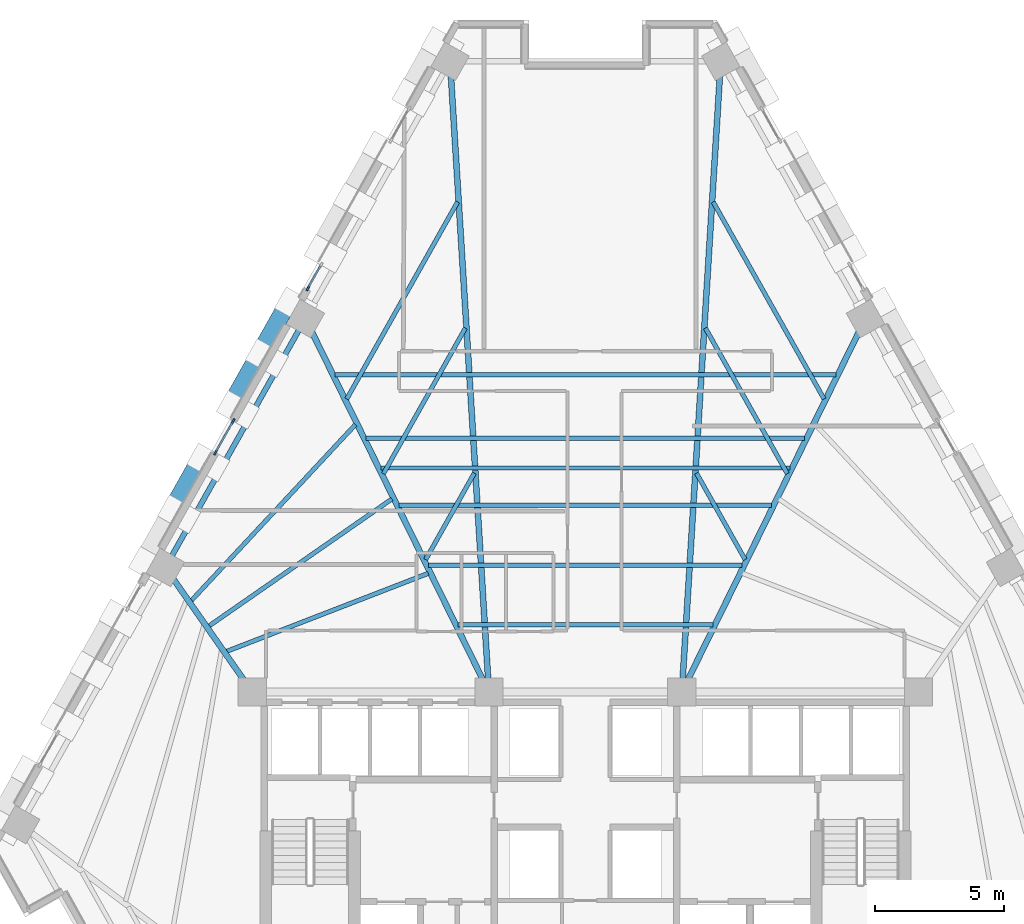
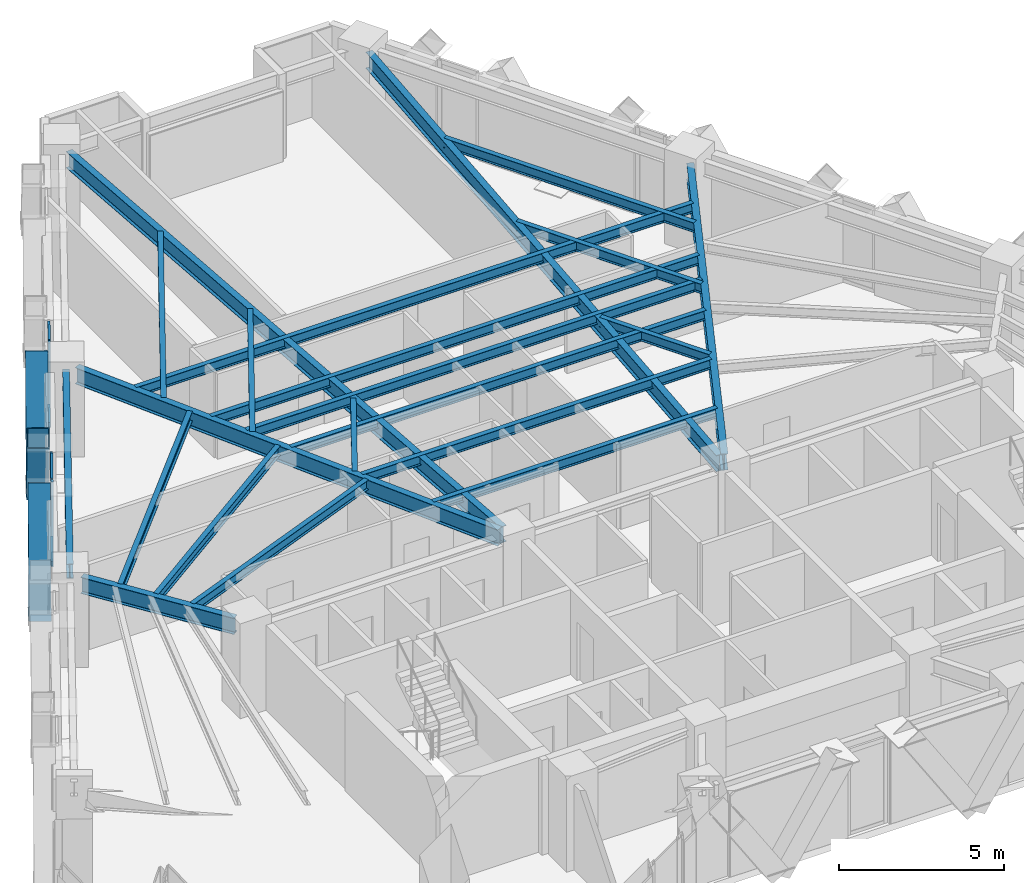
# One storey, part 3 of 13: 21 beams, 10 members, 2 elements without a shape of their own.
"""IFC4 building model written with IfcOpenShell, lengths in metres."""

from ifc_helpers import new_model, si_unit, direction, frame, origin, origin_2d, place, context, subcontext, project, spatial, rectangle, hollow_rectangle, i_section, extrude, material, material_profile, profile_set, type_object, element, aggregate, save


model = new_model("IFC4")

# Units and contexts
model_context = context("Model", 3, precision=1e-05, world=origin(), true_north=direction((0.0, 1.0)))
body_context = subcontext(model_context, "Body", "Model", "MODEL_VIEW")
ifc_project = project(units=[si_unit("LENGTHUNIT", "METRE"), si_unit("AREAUNIT", "SQUARE_METRE"), si_unit("VOLUMEUNIT", "CUBIC_METRE"), si_unit("PLANEANGLEUNIT", "RADIAN"), si_unit("MASSUNIT", "GRAM", prefix="KILO")], contexts=[model_context])

# Site, building, storey
site_placement = place(None, origin())
site = spatial("IfcSite", under=ifc_project, at=site_placement, CompositionType="ELEMENT")
building_placement = place(site_placement, origin())
building = spatial("IfcBuilding", under=site, at=building_placement, Name="Quenlor Broadcast Tower", CompositionType="ELEMENT")
storey_placement = place(building_placement, frame((0.0, 0.0, 87.10009765625)))
storey = spatial("IfcBuildingStorey", under=building, at=storey_placement, Name="L23", CompositionType="ELEMENT", Elevation=87.10009765625)

# Curtain wall, member
ifc_material_1 = material(Name="Architectural Terracotta and Low-E Glazing", Category="masonry")
curtain_wall_type = type_object("IfcCurtainWallType", Name="Unitised Terracotta Curtain Wall System Z2", PredefinedType="NOTDEFINED", material=ifc_material_1)
curtain_wall_1_placement = place(storey_placement, origin())
curtain_wall_1 = element("IfcCurtainWall", 1, at=curtain_wall_1_placement, inside=storey, type_object=curtain_wall_type, Name="L23 Curtain Wall CW2 (L23-NWC-G1)", PredefinedType="NOTDEFINED")
ifc_material_2 = material(Name="Aluminium 6063-T6", Category="aluminium")
ifc_material_profile_1 = material_profile(ifc_material_2, rectangle(XDim=0.074951171875, YDim=0.199951171875, at=origin_2d()))
ifc_profile_set_1 = profile_set([ifc_material_profile_1], Name="Aluminium 6063-T6 MULL75x200")
member_type_1 = type_object("IfcMemberType", Name="CW2 Aluminium Mullion MULL_CW2", PredefinedType="MULLION", material=ifc_profile_set_1)
member_1_placement = place(storey_placement, frame((-10.7880859375, 10.894775390625, 0.0), z_axis=(0.0, 0.0, 1.0), x_axis=(-0.8715826837, 0.490248534392, 0.0)))
member_1 = element("IfcMember", 2, at=member_1_placement, type_object=member_type_1, Name="CW2 mullion 1", PredefinedType="MULLION", context=body_context, shape_type="SweptSolid", body=[
    extrude(rectangle(XDim=0.074951171875, YDim=0.199951171875, at=origin_2d()), origin(), (0.0, 0.0, 1.0), 3.139892578125),
])

# Curtain wall, members
curtain_wall_2_placement = place(storey_placement, origin())
curtain_wall_2 = element("IfcCurtainWall", 3, at=curtain_wall_2_placement, inside=storey, type_object=curtain_wall_type, Name="L23 Curtain Wall CW2 (L23-NW-G1)", PredefinedType="NOTDEFINED")
member_2_placement = place(storey_placement, frame((-14.3828125, 4.50439453125, 0.0), z_axis=(0.0, 0.0, 1.0), x_axis=(-0.871557629154, 0.490293074665, 0.0)))
member_2 = element("IfcMember", 4, at=member_2_placement, type_object=member_type_1, Name="CW2 mullion 1", PredefinedType="MULLION", context=body_context, shape_type="SweptSolid", body=[
    extrude(rectangle(XDim=0.074951171875, YDim=0.199951171875, at=origin_2d()), origin(), (0.0, 0.0, 1.0), 3.139892578125),
])
member_3_placement = place(storey_placement, frame((-13.688232421875, 5.73876953125, 0.0), z_axis=(0.0, 0.0, 1.0), x_axis=(-0.871557629154, 0.490293074665, 0.0)))
member_3 = element("IfcMember", 5, at=member_3_placement, type_object=member_type_1, Name="CW2 mullion 2", PredefinedType="MULLION", context=body_context, shape_type="SweptSolid", body=[
    extrude(rectangle(XDim=0.074951171875, YDim=0.199951171875, at=origin_2d()), origin(), (0.0, 0.0, 1.0), 3.139892578125),
])

# Member
ifc_material_3 = material(Name="Aluminium 6063-T6", Category="aluminium")
ifc_material_profile_2 = material_profile(ifc_material_3, rectangle(XDim=0.074951171875, YDim=0.1650390625, at=origin_2d()))
ifc_profile_set_2 = profile_set([ifc_material_profile_2], Name="Aluminium 6063-T6 TRAN75x165")
member_type_2 = type_object("IfcMemberType", Name="CW2 Aluminium Transom TRAN_CW2", PredefinedType="USERDEFINED", material=ifc_profile_set_2)
member_4_placement = place(storey_placement, frame((-10.769775390625, 10.927490234375, 0.037353515625), z_axis=(0.490225431837, 0.871595678041, 0.0), x_axis=(-0.871595678041, 0.490225431837, 0.0)))
member_4 = element("IfcMember", 6, at=member_4_placement, type_object=member_type_2, Name="CW2 transom 1.1", ObjectType="TRANSOM", PredefinedType="USERDEFINED", context=body_context, shape_type="SweptSolid", body=[
    extrude(rectangle(XDim=0.074951171875, YDim=0.1650390625, at=origin_2d()), origin(), (0.0, 0.0, 1.0), 0.97119140625),
])

member_5_placement = place(storey_placement, frame((-10.769775390625, 10.927490234375, 3.102294921875), z_axis=(0.490225431837, 0.871595678041, 0.0), x_axis=(-0.871595678041, 0.490225431837, 0.0)))
member_5 = element("IfcMember", 7, at=member_5_placement, type_object=member_type_2, Name="CW2 transom 1.2", ObjectType="TRANSOM", PredefinedType="USERDEFINED", context=body_context, shape_type="SweptSolid", body=[
    extrude(rectangle(XDim=0.074951171875, YDim=0.1650390625, at=origin_2d()), origin(), (0.0, 0.0, 1.0), 0.97119140625),
])

aggregate(curtain_wall_1, [member_1, member_4, member_5])

member_6_placement = place(storey_placement, frame((-14.3642578125, 4.537109375, 0.037353515625), z_axis=(0.49022666835, 0.871594982569, 0.0), x_axis=(-0.871594982569, 0.49022666835, 0.0)))
member_6 = element("IfcMember", 8, at=member_6_placement, type_object=member_type_2, Name="CW2 transom 1.1", ObjectType="TRANSOM", PredefinedType="USERDEFINED", context=body_context, shape_type="SweptSolid", body=[
    extrude(rectangle(XDim=0.074951171875, YDim=0.1650390625, at=origin_2d()), origin(), (0.0, 0.0, 1.0), 1.341064453125),
])

member_7_placement = place(storey_placement, frame((-14.3642578125, 4.537109375, 3.102294921875), z_axis=(0.49022666835, 0.871594982569, 0.0), x_axis=(-0.871594982569, 0.49022666835, 0.0)))
member_7 = element("IfcMember", 9, at=member_7_placement, type_object=member_type_2, Name="CW2 transom 1.2", ObjectType="TRANSOM", PredefinedType="USERDEFINED", context=body_context, shape_type="SweptSolid", body=[
    extrude(rectangle(XDim=0.074951171875, YDim=0.1650390625, at=origin_2d()), origin(), (0.0, 0.0, 1.0), 1.341064453125),
])

aggregate(curtain_wall_2, [member_2, member_3, member_6, member_7])

# Members
ifc_material_4 = material(Name="Steel S355", Category="steel")
ifc_material_profile_3 = material_profile(ifc_material_4, hollow_rectangle(XDim=0.679931640625, YDim=0.679931640625, WallThickness=0.030029296875, at=origin_2d()))
ifc_profile_set_3 = profile_set([ifc_material_profile_3], Name="Steel S355 RHS680x680x30")
member_type_3 = type_object("IfcMemberType", Name="Perimeter Diagonal Lattice Brace Z2 Steel S355 RHS680x30", PredefinedType="BRACE", material=ifc_profile_set_3)
for number, where, z_axis, x_axis, name in (
    (10, (-16.07958984375, 2.29345703125, -0.1201171875), (0.268696511206, 0.477585438485, 0.836489290913), (-0.871532878923, 0.490337068716, 0.0), "L23 Perimeter Diamond Lattice NW-C3S"),
    (11, (-12.68017578125, 8.3369140625, -0.1201171875), (-0.268642373731, -0.477592925498, 0.83650240439), (0.871578380919, -0.490256183964, 0.0), "L23 Perimeter Diamond Lattice NW-C3B"),
):
    element("IfcMember", number, at=place(storey_placement, frame(where, z_axis=z_axis, x_axis=x_axis)), inside=storey, type_object=member_type_3, Name=name, PredefinedType="BRACE", context=body_context, shape_type="SweptSolid", body=[
        extrude(hollow_rectangle(XDim=0.679931640625, YDim=0.679931640625, WallThickness=0.030029296875, at=origin_2d()), origin(), (0.0, 0.0, 1.0), 4.18408203125),
    ])
member_8_placement = place(storey_placement, frame((-12.66650390625, 8.361083984375, -0.1201171875), z_axis=(0.268634887212, 0.477637964099, 0.83647909276), x_axis=(-0.871603971106, 0.490210686901, 0.0)))
element("IfcMember", 12, at=member_8_placement, inside=storey, type_object=member_type_3, Name="L23 Perimeter Diamond Lattice NW-C4S", PredefinedType="BRACE", context=body_context, shape_type="SweptSolid", body=[
    extrude(hollow_rectangle(XDim=0.679931640625, YDim=0.679931640625, WallThickness=0.030029296875, at=origin_2d()), origin(), (0.0, 0.0, 1.0), 4.184326171875),
])

# Beams
ifc_material_5 = material(Name="Steel S355", Category="steel")
ifc_material_profile_4 = material_profile(ifc_material_5, i_section(OverallWidth=0.208984375, OverallDepth=0.5283203125, WebThickness=0.009521484375, FlangeThickness=0.01318359375, FilletRadius=0.013916015625, at=origin_2d()))
ifc_profile_set_4 = profile_set([ifc_material_profile_4], Name="Steel S355 530UB82.0")
beam_type_1 = type_object("IfcBeamType", Name="Perimeter Spandrel Beam Z2 Steel S355 530UB82.0", PredefinedType="SPANDREL", material=ifc_profile_set_4)
beam_1_placement = place(storey_placement, frame((-11.087890625, 9.3623046875, 2.875732421875), z_axis=(-0.49026462139, -0.871573634878, 0.0), x_axis=(0.871573634878, -0.49026462139, 0.0)))
element("IfcBeam", 13, at=beam_1_placement, inside=storey, type_object=beam_type_1, Name="L23 Spandrel Beam NW2-NW3", PredefinedType="SPANDREL", context=body_context, shape_type="SweptSolid", body=[
    extrude(i_section(OverallWidth=0.208984375, OverallDepth=0.5283203125, WebThickness=0.009521484375, FlangeThickness=0.01318359375, FilletRadius=0.013916015625, at=origin_2d()), origin(), (0.0, 0.0, 1.0), 10.28271484375),
])
ifc_material_6 = material(Name="Steel S355", Category="steel")
ifc_material_profile_5 = material_profile(ifc_material_6, i_section(OverallWidth=0.172119140625, OverallDepth=0.358642578125, WebThickness=0.008056640625, FlangeThickness=0.012939453125, FilletRadius=0.011474609375, at=origin_2d()))
ifc_profile_set_5 = profile_set([ifc_material_profile_5], Name="Steel S355 360UB56.7")
beam_type_2 = type_object("IfcBeamType", Name="Tower Composite Joist Z2-Z3 Steel S355 360UB56.7", PredefinedType="JOIST", material=ifc_profile_set_5)
beam_2_placement = place(storey_placement, frame((-4.95458984375, -2.1865234375, 2.960693359375), z_axis=(1.0, 0.0, 0.0), x_axis=(0.0, 1.0, 0.0)))
element("IfcBeam", 14, at=beam_2_placement, inside=storey, type_object=beam_type_2, Name="L23 Secondary Composite Joist 1", PredefinedType="JOIST", context=body_context, shape_type="SweptSolid", body=[
    extrude(i_section(OverallWidth=0.172119140625, OverallDepth=0.358642578125, WebThickness=0.008056640625, FlangeThickness=0.012939453125, FilletRadius=0.011474609375, at=origin_2d()), origin(), (0.0, 0.0, 1.0), 9.9091796875),
])
beam_3_placement = place(storey_placement, frame((-7.9521484375, 3.911865234375, 2.960693359375), z_axis=(1.0, 0.0, 0.0), x_axis=(0.0, 1.0, 0.0)))
element("IfcBeam", 15, at=beam_3_placement, inside=storey, type_object=beam_type_2, Name="L23 Secondary Composite Joist 2", PredefinedType="JOIST", context=body_context, shape_type="SweptSolid", body=[
    extrude(i_section(OverallWidth=0.172119140625, OverallDepth=0.358642578125, WebThickness=0.008056640625, FlangeThickness=0.012939453125, FilletRadius=0.011474609375, at=origin_2d()), origin(), (0.0, 0.0, 1.0), 15.904296875),
])
beam_4_placement = place(storey_placement, frame((-6.096435546875, 0.13671875, 2.960693359375), z_axis=(1.0, 0.0, 0.0), x_axis=(0.0, 1.0, 0.0)))
element("IfcBeam", 16, at=beam_4_placement, inside=storey, type_object=beam_type_2, Name="L23 Secondary Composite Joist 3", PredefinedType="JOIST", context=body_context, shape_type="SweptSolid", body=[
    extrude(i_section(OverallWidth=0.172119140625, OverallDepth=0.358642578125, WebThickness=0.008056640625, FlangeThickness=0.012939453125, FilletRadius=0.011474609375, at=origin_2d()), origin(), (0.0, 0.0, 1.0), 12.19287109375),
])
beam_5_placement = place(storey_placement, frame((-7.238525390625, 2.4599609375, 2.960693359375), z_axis=(1.0, 0.0, 0.0), x_axis=(0.0, 1.0, 0.0)))
element("IfcBeam", 17, at=beam_5_placement, inside=storey, type_object=beam_type_2, Name="L23 Secondary Composite Joist 4", PredefinedType="JOIST", context=body_context, shape_type="SweptSolid", body=[
    extrude(i_section(OverallWidth=0.172119140625, OverallDepth=0.358642578125, WebThickness=0.008056640625, FlangeThickness=0.012939453125, FilletRadius=0.011474609375, at=origin_2d()), origin(), (0.0, 0.0, 1.0), 14.47705078125),
])
beam_6_placement = place(storey_placement, frame((-8.523193359375, 5.073486328125, 2.960693359375), z_axis=(1.0, 0.0, 0.0), x_axis=(0.0, 1.0, 0.0)))
element("IfcBeam", 18, at=beam_6_placement, inside=storey, type_object=beam_type_2, Name="L23 Secondary Composite Joist 5", PredefinedType="JOIST", context=body_context, shape_type="SweptSolid", body=[
    extrude(i_section(OverallWidth=0.172119140625, OverallDepth=0.358642578125, WebThickness=0.008056640625, FlangeThickness=0.012939453125, FilletRadius=0.011474609375, at=origin_2d()), origin(), (0.0, 0.0, 1.0), 17.04638671875),
])
beam_7_placement = place(storey_placement, frame((-9.736328125, 7.541748046875, 2.960693359375), z_axis=(1.0, 0.0, 0.0), x_axis=(0.0, 1.0, 0.0)))
element("IfcBeam", 19, at=beam_7_placement, inside=storey, type_object=beam_type_2, Name="L23 Secondary Composite Joist 6", PredefinedType="JOIST", context=body_context, shape_type="SweptSolid", body=[
    extrude(i_section(OverallWidth=0.172119140625, OverallDepth=0.358642578125, WebThickness=0.008056640625, FlangeThickness=0.012939453125, FilletRadius=0.011474609375, at=origin_2d()), origin(), (0.0, 0.0, 1.0), 19.47265625),
])
beam_8_placement = place(storey_placement, frame((-13.95703125, -3.221435546875, 2.960693359375), z_axis=(0.932542579586, 0.361060018916, 0.0), x_axis=(-0.361060018916, 0.932542579586, 0.0)))
element("IfcBeam", 20, at=beam_8_placement, inside=storey, type_object=beam_type_2, Name="L23 Secondary Composite Joist 7", PredefinedType="JOIST", context=body_context, shape_type="SweptSolid", body=[
    extrude(i_section(OverallWidth=0.172119140625, OverallDepth=0.358642578125, WebThickness=0.008056640625, FlangeThickness=0.012939453125, FilletRadius=0.011474609375, at=origin_2d()), origin(), (0.0, 0.0, 1.0), 8.416259765625),
])
beam_9_placement = place(storey_placement, frame((-14.641845703125, -2.236083984375, 2.960693359375), z_axis=(0.821385737622, 0.570373097219, 0.0), x_axis=(-0.570373097219, 0.821385737622, 0.0)))
element("IfcBeam", 21, at=beam_9_placement, inside=storey, type_object=beam_type_2, Name="L23 Secondary Composite Joist 8", PredefinedType="JOIST", context=body_context, shape_type="SweptSolid", body=[
    extrude(i_section(OverallWidth=0.172119140625, OverallDepth=0.358642578125, WebThickness=0.008056640625, FlangeThickness=0.012939453125, FilletRadius=0.011474609375, at=origin_2d()), origin(), (0.0, 0.0, 1.0), 8.662109375),
])
beam_10_placement = place(storey_placement, frame((-15.3291015625, -1.254638671875, 2.960693359375), z_axis=(0.681880655944, 0.73146344478, 0.0), x_axis=(-0.73146344478, 0.681880655944, 0.0)))
element("IfcBeam", 22, at=beam_10_placement, inside=storey, type_object=beam_type_2, Name="L23 Secondary Composite Joist 9", PredefinedType="JOIST", context=body_context, shape_type="SweptSolid", body=[
    extrude(i_section(OverallWidth=0.172119140625, OverallDepth=0.358642578125, WebThickness=0.008056640625, FlangeThickness=0.012939453125, FilletRadius=0.011474609375, at=origin_2d()), origin(), (0.0, 0.0, 1.0), 9.365234375),
])
beam_11_placement = place(storey_placement, frame((-4.318603515625, 3.7119140625, 2.960693359375), z_axis=(-0.49024921379, -0.871582301552, 0.0), x_axis=(0.871582301552, -0.49024921379, 0.0)))
element("IfcBeam", 23, at=beam_11_placement, inside=storey, type_object=beam_type_2, Name="L23 Secondary Composite Joist 25", PredefinedType="JOIST", context=body_context, shape_type="SweptSolid", body=[
    extrude(i_section(OverallWidth=0.172119140625, OverallDepth=0.358642578125, WebThickness=0.008056640625, FlangeThickness=0.012939453125, FilletRadius=0.011474609375, at=origin_2d()), origin(), (0.0, 0.0, 1.0), 3.85546875),
])
beam_12_placement = place(storey_placement, frame((-4.66650390625, 9.351318359375, 2.960693359375), z_axis=(-0.490232680913, -0.871591600789, 0.0), x_axis=(0.871591600789, -0.490232680913, 0.0)))
element("IfcBeam", 24, at=beam_12_placement, inside=storey, type_object=beam_type_2, Name="L23 Secondary Composite Joist 26", PredefinedType="JOIST", context=body_context, shape_type="SweptSolid", body=[
    extrude(i_section(OverallWidth=0.172119140625, OverallDepth=0.358642578125, WebThickness=0.008056640625, FlangeThickness=0.012939453125, FilletRadius=0.011474609375, at=origin_2d()), origin(), (0.0, 0.0, 1.0), 6.494140625),
])
beam_13_placement = place(storey_placement, frame((-4.96875, 14.255126953125, 2.960693359375), z_axis=(-0.490273109583, -0.871568860171, 0.0), x_axis=(0.871568860171, -0.490273109583, 0.0)))
element("IfcBeam", 25, at=beam_13_placement, inside=storey, type_object=beam_type_2, Name="L23 Secondary Composite Joist 27", PredefinedType="JOIST", context=body_context, shape_type="SweptSolid", body=[
    extrude(i_section(OverallWidth=0.172119140625, OverallDepth=0.358642578125, WebThickness=0.008056640625, FlangeThickness=0.012939453125, FilletRadius=0.011474609375, at=origin_2d()), origin(), (0.0, 0.0, 1.0), 8.78857421875),
])
beam_14_placement = place(storey_placement, frame((4.318603515625, 3.7119140625, 2.960693359375), z_axis=(0.49024921379, -0.871582301552, 0.0), x_axis=(0.871582301552, 0.49024921379, 0.0)))
element("IfcBeam", 26, at=beam_14_placement, inside=storey, type_object=beam_type_2, Name="L23 Secondary Composite Joist 28", PredefinedType="JOIST", context=body_context, shape_type="SweptSolid", body=[
    extrude(i_section(OverallWidth=0.172119140625, OverallDepth=0.358642578125, WebThickness=0.008056640625, FlangeThickness=0.012939453125, FilletRadius=0.011474609375, at=origin_2d()), origin(), (0.0, 0.0, 1.0), 3.85546875),
])
beam_15_placement = place(storey_placement, frame((4.66650390625, 9.351318359375, 2.960693359375), z_axis=(0.490232680913, -0.871591600789, 0.0), x_axis=(0.871591600789, 0.490232680913, 0.0)))
element("IfcBeam", 27, at=beam_15_placement, inside=storey, type_object=beam_type_2, Name="L23 Secondary Composite Joist 29", PredefinedType="JOIST", context=body_context, shape_type="SweptSolid", body=[
    extrude(i_section(OverallWidth=0.172119140625, OverallDepth=0.358642578125, WebThickness=0.008056640625, FlangeThickness=0.012939453125, FilletRadius=0.011474609375, at=origin_2d()), origin(), (0.0, 0.0, 1.0), 6.494140625),
])
beam_16_placement = place(storey_placement, frame((4.96875, 14.255126953125, 2.960693359375), z_axis=(0.490273109583, -0.871568860171, 0.0), x_axis=(0.871568860171, 0.490273109583, 0.0)))
element("IfcBeam", 28, at=beam_16_placement, inside=storey, type_object=beam_type_2, Name="L23 Secondary Composite Joist 30", PredefinedType="JOIST", context=body_context, shape_type="SweptSolid", body=[
    extrude(i_section(OverallWidth=0.172119140625, OverallDepth=0.358642578125, WebThickness=0.008056640625, FlangeThickness=0.012939453125, FilletRadius=0.011474609375, at=origin_2d()), origin(), (0.0, 0.0, 1.0), 8.78857421875),
])
ifc_material_7 = material(Name="Steel S355", Category="steel")
ifc_material_profile_6 = material_profile(ifc_material_7, i_section(OverallWidth=0.22802734375, OverallDepth=0.60205078125, WebThickness=0.010498046875, FlangeThickness=0.014892578125, FilletRadius=0.013916015625, at=origin_2d()))
ifc_profile_set_6 = profile_set([ifc_material_profile_6], Name="Steel S355 610UB101")
beam_type_3 = type_object("IfcBeamType", Name="Tower Primary Floor Beam Z2 Steel S355 610UB101", PredefinedType="BEAM", material=ifc_profile_set_6)
beam_17_placement = place(storey_placement, frame((10.7060546875, 9.351806640625, 2.8388671875), z_axis=(-0.441130328176, -0.897443053103, 0.0), x_axis=(0.897443053103, -0.441130328176, 0.0)))
element("IfcBeam", 29, at=beam_17_placement, inside=storey, type_object=beam_type_3, Name="L23 Primary Radial Beam NE3", PredefinedType="BEAM", context=body_context, shape_type="SweptSolid", body=[
    extrude(i_section(OverallWidth=0.22802734375, OverallDepth=0.60205078125, WebThickness=0.010498046875, FlangeThickness=0.014892578125, FilletRadius=0.013916015625, at=origin_2d()), origin(), (0.0, 0.0, 1.0), 15.38916015625),
])
for number, where, z_axis, x_axis, name in (
    (30, (5.237060546875, 19.309814453125, 2.8388671875), (-0.061559977358, -0.998103386022, 0.0), (0.998103386022, -0.061559977358, 0.0), "L23 Primary Radial Beam NE4"),
    (31, (-5.237060546875, 19.309814453125, 2.8388671875), (0.061559977358, -0.998103386022, 0.0), (0.998103386022, 0.061559977358, 0.0), "L23 Primary Radial Beam NW1"),
):
    element("IfcBeam", number, at=place(storey_placement, frame(where, z_axis=z_axis, x_axis=x_axis)), inside=storey, type_object=beam_type_3, Name=name, PredefinedType="BEAM", context=body_context, shape_type="SweptSolid", body=[
        extrude(i_section(OverallWidth=0.22802734375, OverallDepth=0.60205078125, WebThickness=0.010498046875, FlangeThickness=0.014892578125, FilletRadius=0.013916015625, at=origin_2d()), origin(), (0.0, 0.0, 1.0), 23.775634765625),
    ])
beam_18_placement = place(storey_placement, frame((-10.7060546875, 9.351806640625, 2.8388671875), z_axis=(0.441130328176, -0.897443053103, 0.0), x_axis=(0.897443053103, 0.441130328176, 0.0)))
element("IfcBeam", 32, at=beam_18_placement, inside=storey, type_object=beam_type_3, Name="L23 Primary Radial Beam NW2", PredefinedType="BEAM", context=body_context, shape_type="SweptSolid", body=[
    extrude(i_section(OverallWidth=0.22802734375, OverallDepth=0.60205078125, WebThickness=0.010498046875, FlangeThickness=0.014892578125, FilletRadius=0.013916015625, at=origin_2d()), origin(), (0.0, 0.0, 1.0), 15.38916015625),
])
beam_19_placement = place(storey_placement, frame((-16.095458984375, -0.293212890625, 2.8388671875), z_axis=(0.572337599985, -0.820018092266, 0.0), x_axis=(0.820018092266, 0.572337599985, 0.0)))
element("IfcBeam", 33, at=beam_19_placement, inside=storey, type_object=beam_type_3, Name="L23 Primary Radial Beam NW3", PredefinedType="BEAM", context=body_context, shape_type="SweptSolid", body=[
    extrude(i_section(OverallWidth=0.22802734375, OverallDepth=0.60205078125, WebThickness=0.010498046875, FlangeThickness=0.014892578125, FilletRadius=0.013916015625, at=origin_2d()), origin(), (0.0, 0.0, 1.0), 5.11572265625),
])

save(model, "model.ifc")
